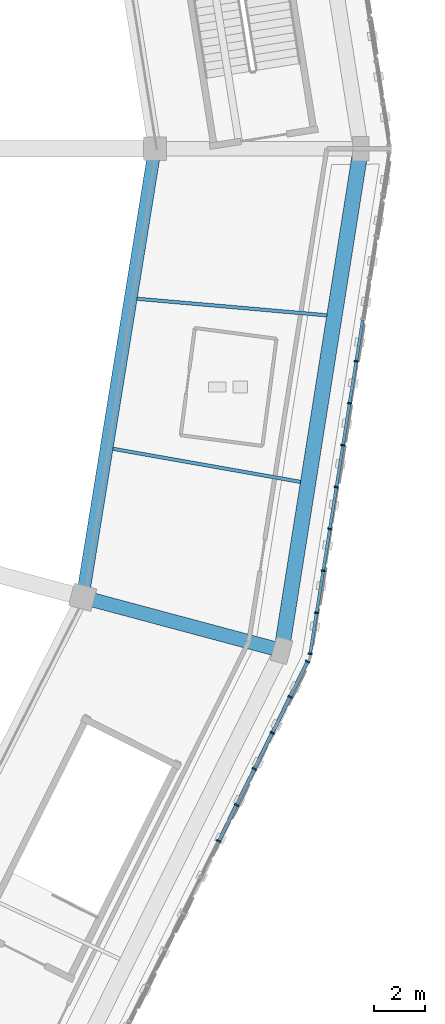
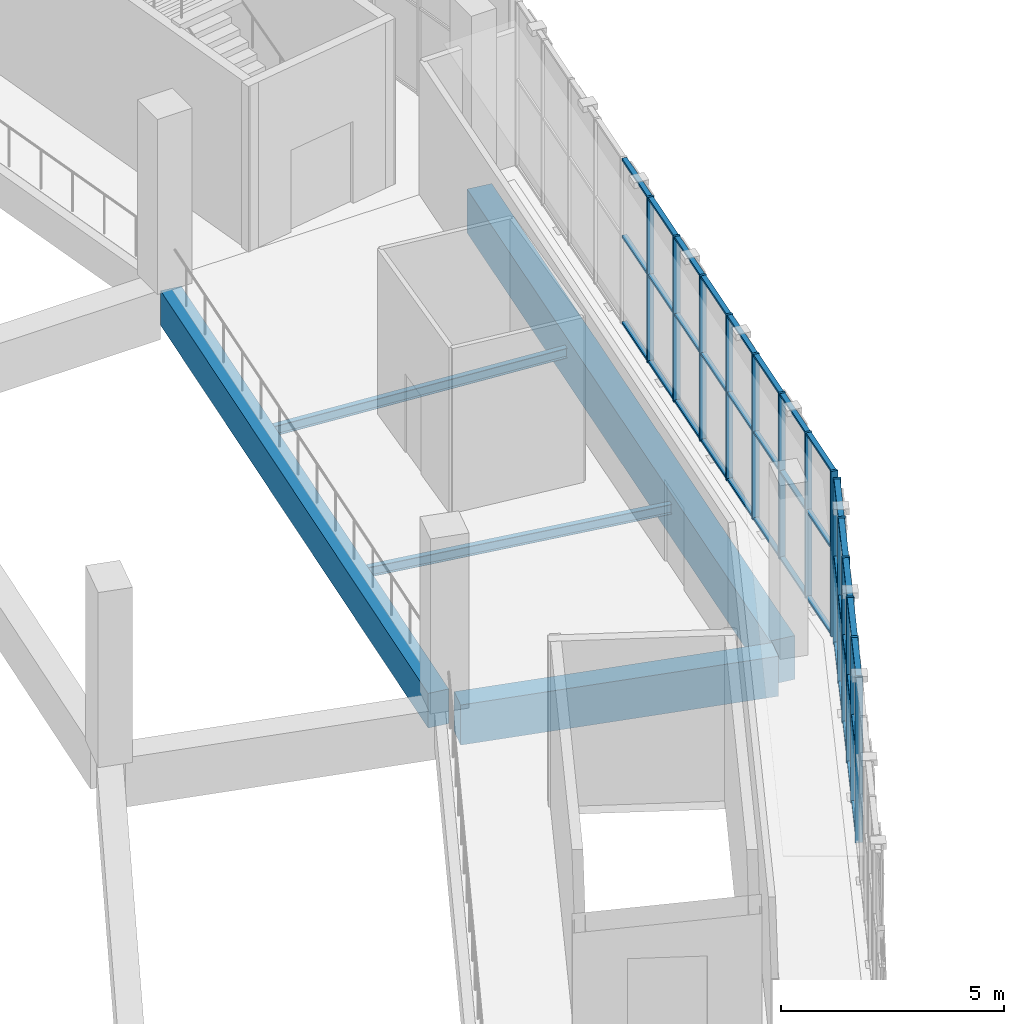
# One storey, part 28 of 108: 53 members, 5 beams, 2 elements without a shape of their own.
"""IFC4 building model written with IfcOpenShell, lengths in metres."""

from ifc_helpers import new_model, si_unit, direction, frame, origin, origin_2d, place, context, subcontext, project, spatial, rectangle, i_section, extrude, material, material_profile, profile_set, type_object, element, aggregate, save


model = new_model("IFC4")

# Units and contexts
model_context = context("Model", 3, precision=1e-05, world=origin(), true_north=direction((0.0, 1.0)))
body_context = subcontext(model_context, "Body", "Model", "MODEL_VIEW")
ifc_project = project(units=[si_unit("LENGTHUNIT", "METRE"), si_unit("AREAUNIT", "SQUARE_METRE"), si_unit("VOLUMEUNIT", "CUBIC_METRE"), si_unit("PLANEANGLEUNIT", "RADIAN"), si_unit("MASSUNIT", "GRAM", prefix="KILO")], contexts=[model_context])

# Site, building, storey
site_placement = place(None, origin())
site = spatial("IfcSite", under=ifc_project, at=site_placement, CompositionType="ELEMENT")
building_placement = place(site_placement, origin())
building = spatial("IfcBuilding", under=site, at=building_placement, Name="Zevraka Park Crest Stadium", CompositionType="ELEMENT")
storey_placement = place(building_placement, frame((0.0, 0.0, 19.800048828125)))
storey = spatial("IfcBuildingStorey", under=building, at=storey_placement, Name="L04", CompositionType="ELEMENT", Elevation=19.800048828125)

# Beam
ifc_material_1 = material(Name="Concrete C40/50", Category="concrete")
ifc_material_profile_1 = material_profile(ifc_material_1, rectangle(XDim=0.550048828125, YDim=1.10009765625, at=origin_2d()), Name="RC 1100x550")
ifc_profile_set_1 = profile_set([ifc_material_profile_1], Name="Concrete C40/50")
beam_type_1 = type_object("IfcBeamType", Name="BG02", PredefinedType="BEAM", material=ifc_profile_set_1)
beam_1_placement = place(storey_placement, frame((191.785888671875, 74.5029296875, -0.56005859375), z_axis=(0.965968812251, -0.258658565986, 0.0), x_axis=(0.258658565986, 0.965968812251, 0.0)))
element("IfcBeam", 1, at=beam_1_placement, inside=storey, type_object=beam_type_1, Name="Radial Girder BG02 L04-CD-23", PredefinedType="BEAM", context=body_context, shape_type="SweptSolid", body=[
    extrude(rectangle(XDim=0.550048828125, YDim=1.10009765625, at=origin_2d()), origin(), (0.0, 0.0, 1.0), 7.39892578125),
])

# Curtain wall, members
ifc_material_2 = material(Name="Anodised architectural aluminium and laminated safety glass", Category="aluminium")
curtain_wall_type_1 = type_object("IfcCurtainWallType", Name="CW16", PredefinedType="NOTDEFINED", material=ifc_material_2)
curtain_wall_1_placement = place(storey_placement, origin())
curtain_wall_1 = element("IfcCurtainWall", 2, at=curtain_wall_1_placement, inside=storey, type_object=curtain_wall_type_1, Name="Unitised Ring Curtain Wall CW16 L04-23", PredefinedType="NOTDEFINED")
ifc_material_3 = material(Name="Anodised architectural aluminium", Category="aluminium")
ifc_material_profile_2 = material_profile(ifc_material_3, rectangle(XDim=0.159912109375, YDim=0.06005859375, at=origin_2d()), Name="ALU MULLION 160x60")
ifc_profile_set_2 = profile_set([ifc_material_profile_2], Name="Anodised architectural aluminium")
member_type_1 = type_object("IfcMemberType", Name="CM01", PredefinedType="MULLION", material=ifc_profile_set_2)
member_1_placement = place(storey_placement, frame((200.32958984375, 72.380615234375, 0.0), z_axis=(0.0, 0.0, 1.0), x_axis=(-0.987829746281, 0.155539038066, 0.0)))
member_1 = element("IfcMember", 3, at=member_1_placement, type_object=member_type_1, Name="CW16 mullion 1", PredefinedType="MULLION", context=body_context, shape_type="SweptSolid", body=[
    extrude(rectangle(XDim=0.159912109375, YDim=0.06005859375, at=origin_2d()), origin(), (0.0, 0.0, 1.0), 4.5400390625),
])
member_2_placement = place(storey_placement, frame((200.5810546875, 73.97802734375, 0.0), z_axis=(0.0, 0.0, 1.0), x_axis=(-0.987829746281, 0.155539038066, 0.0)))
member_2 = element("IfcMember", 4, at=member_2_placement, type_object=member_type_1, Name="CW16 mullion 2", PredefinedType="MULLION", context=body_context, shape_type="SweptSolid", body=[
    extrude(rectangle(XDim=0.159912109375, YDim=0.06005859375, at=origin_2d()), origin(), (0.0, 0.0, 1.0), 4.5400390625),
])
member_3_placement = place(storey_placement, frame((200.83740234375, 75.604736328125, 0.0), z_axis=(0.0, 0.0, 1.0), x_axis=(-0.987829746281, 0.155539038066, 0.0)))
member_3 = element("IfcMember", 5, at=member_3_placement, type_object=member_type_1, Name="CW16 mullion 3", PredefinedType="MULLION", context=body_context, shape_type="SweptSolid", body=[
    extrude(rectangle(XDim=0.159912109375, YDim=0.06005859375, at=origin_2d()), origin(), (0.0, 0.0, 1.0), 4.5400390625),
])
member_4_placement = place(storey_placement, frame((201.093505859375, 77.231689453125, 0.0), z_axis=(0.0, 0.0, 1.0), x_axis=(-0.987829746281, 0.155539038066, 0.0)))
member_4 = element("IfcMember", 6, at=member_4_placement, type_object=member_type_1, Name="CW16 mullion 4", PredefinedType="MULLION", context=body_context, shape_type="SweptSolid", body=[
    extrude(rectangle(XDim=0.159912109375, YDim=0.06005859375, at=origin_2d()), origin(), (0.0, 0.0, 1.0), 4.5400390625),
])
member_5_placement = place(storey_placement, frame((201.349609375, 78.858642578125, 0.0), z_axis=(0.0, 0.0, 1.0), x_axis=(-0.987829746281, 0.155539038066, 0.0)))
member_5 = element("IfcMember", 7, at=member_5_placement, type_object=member_type_1, Name="CW16 mullion 5", PredefinedType="MULLION", context=body_context, shape_type="SweptSolid", body=[
    extrude(rectangle(XDim=0.159912109375, YDim=0.06005859375, at=origin_2d()), origin(), (0.0, 0.0, 1.0), 4.5400390625),
])
member_6_placement = place(storey_placement, frame((201.605712890625, 80.485595703125, 0.0), z_axis=(0.0, 0.0, 1.0), x_axis=(-0.987829746281, 0.155539038066, 0.0)))
member_6 = element("IfcMember", 8, at=member_6_placement, type_object=member_type_1, Name="CW16 mullion 6", PredefinedType="MULLION", context=body_context, shape_type="SweptSolid", body=[
    extrude(rectangle(XDim=0.159912109375, YDim=0.06005859375, at=origin_2d()), origin(), (0.0, 0.0, 1.0), 4.5400390625),
])
member_7_placement = place(storey_placement, frame((201.862060546875, 82.112548828125, 0.0), z_axis=(0.0, 0.0, 1.0), x_axis=(-0.987829746281, 0.155539038066, 0.0)))
member_7 = element("IfcMember", 9, at=member_7_placement, type_object=member_type_1, Name="CW16 mullion 7", PredefinedType="MULLION", context=body_context, shape_type="SweptSolid", body=[
    extrude(rectangle(XDim=0.159912109375, YDim=0.06005859375, at=origin_2d()), origin(), (0.0, 0.0, 1.0), 4.5400390625),
])
member_8_placement = place(storey_placement, frame((202.1181640625, 83.739501953125, 0.0), z_axis=(0.0, 0.0, 1.0), x_axis=(-0.987829746281, 0.155539038066, 0.0)))
member_8 = element("IfcMember", 10, at=member_8_placement, type_object=member_type_1, Name="CW16 mullion 8", PredefinedType="MULLION", context=body_context, shape_type="SweptSolid", body=[
    extrude(rectangle(XDim=0.159912109375, YDim=0.06005859375, at=origin_2d()), origin(), (0.0, 0.0, 1.0), 4.5400390625),
])

ifc_material_4 = material(Name="Anodised architectural aluminium and laminated safety glass", Category="aluminium")
curtain_wall_type_2 = type_object("IfcCurtainWallType", Name="CW17", PredefinedType="NOTDEFINED", material=ifc_material_4)
curtain_wall_2_placement = place(storey_placement, origin())
curtain_wall_2 = element("IfcCurtainWall", 11, at=curtain_wall_2_placement, inside=storey, type_object=curtain_wall_type_2, Name="Unitised Ring Curtain Wall CW17 L04-22", PredefinedType="NOTDEFINED")
ifc_material_5 = material(Name="Anodised architectural aluminium", Category="aluminium")
ifc_material_profile_3 = material_profile(ifc_material_5, rectangle(XDim=0.179931640625, YDim=0.06494140625, at=origin_2d()), Name="ALU MULLION 180x65")
ifc_profile_set_3 = profile_set([ifc_material_profile_3], Name="Anodised architectural aluminium")
member_type_2 = type_object("IfcMemberType", Name="CM02", PredefinedType="MULLION", material=ifc_profile_set_3)
member_9_placement = place(storey_placement, frame((196.780029296875, 65.1103515625, 0.0), z_axis=(0.0, 0.0, 1.0), x_axis=(-0.896046076106, 0.443961067545, 0.0)))
member_9 = element("IfcMember", 12, at=member_9_placement, type_object=member_type_2, Name="CW17 mullion 9", PredefinedType="MULLION", context=body_context, shape_type="SweptSolid", body=[
    extrude(rectangle(XDim=0.179931640625, YDim=0.06494140625, at=origin_2d()), origin(), (0.0, 0.0, 1.0), 4.5400390625),
])
member_10_placement = place(storey_placement, frame((197.4736328125, 66.51025390625, 0.0), z_axis=(0.0, 0.0, 1.0), x_axis=(-0.896046076106, 0.443961067545, 0.0)))
member_10 = element("IfcMember", 13, at=member_10_placement, type_object=member_type_2, Name="CW17 mullion 10", PredefinedType="MULLION", context=body_context, shape_type="SweptSolid", body=[
    extrude(rectangle(XDim=0.179931640625, YDim=0.06494140625, at=origin_2d()), origin(), (0.0, 0.0, 1.0), 4.5400390625),
])
member_11_placement = place(storey_placement, frame((198.167236328125, 67.91015625, 0.0), z_axis=(0.0, 0.0, 1.0), x_axis=(-0.896046076106, 0.443961067545, 0.0)))
member_11 = element("IfcMember", 14, at=member_11_placement, type_object=member_type_2, Name="CW17 mullion 11", PredefinedType="MULLION", context=body_context, shape_type="SweptSolid", body=[
    extrude(rectangle(XDim=0.179931640625, YDim=0.06494140625, at=origin_2d()), origin(), (0.0, 0.0, 1.0), 4.5400390625),
])
member_12_placement = place(storey_placement, frame((198.86083984375, 69.31005859375, 0.0), z_axis=(0.0, 0.0, 1.0), x_axis=(-0.896046076106, 0.443961067545, 0.0)))
member_12 = element("IfcMember", 15, at=member_12_placement, type_object=member_type_2, Name="CW17 mullion 12", PredefinedType="MULLION", context=body_context, shape_type="SweptSolid", body=[
    extrude(rectangle(XDim=0.179931640625, YDim=0.06494140625, at=origin_2d()), origin(), (0.0, 0.0, 1.0), 4.5400390625),
])
member_13_placement = place(storey_placement, frame((199.554443359375, 70.7099609375, 0.0), z_axis=(0.0, 0.0, 1.0), x_axis=(-0.896046076106, 0.443961067545, 0.0)))
member_13 = element("IfcMember", 16, at=member_13_placement, type_object=member_type_2, Name="CW17 mullion 13", PredefinedType="MULLION", context=body_context, shape_type="SweptSolid", body=[
    extrude(rectangle(XDim=0.179931640625, YDim=0.06494140625, at=origin_2d()), origin(), (0.0, 0.0, 1.0), 4.5400390625),
])
member_14_placement = place(storey_placement, frame((200.233642578125, 72.080810546875, 0.0), z_axis=(0.0, 0.0, 1.0), x_axis=(-0.896046076106, 0.443961067545, 0.0)))
member_14 = element("IfcMember", 17, at=member_14_placement, type_object=member_type_2, Name="CW17 mullion 14", PredefinedType="MULLION", context=body_context, shape_type="SweptSolid", body=[
    extrude(rectangle(XDim=0.179931640625, YDim=0.06494140625, at=origin_2d()), origin(), (0.0, 0.0, 1.0), 4.5400390625),
])

# Member
ifc_material_6 = material(Name="Anodised architectural aluminium", Category="aluminium")
ifc_material_profile_4 = material_profile(ifc_material_6, rectangle(XDim=0.1201171875, YDim=0.06005859375, at=origin_2d()), Name="ALU TRANSOM 120x60")
ifc_profile_set_4 = profile_set([ifc_material_profile_4], Name="Anodised architectural aluminium")
member_type_3 = type_object("IfcMemberType", Name="CT01", PredefinedType="USERDEFINED", material=ifc_profile_set_4)
member_15_placement = place(storey_placement, frame((200.334228515625, 72.41015625, 0.030029296875), z_axis=(0.155543865752, 0.987828986124, 0.0), x_axis=(-0.987828986124, 0.155543865752, 0.0)))
member_15 = element("IfcMember", 18, at=member_15_placement, type_object=member_type_3, Name="CW16 transom 1.1", ObjectType="TRANSOM", PredefinedType="USERDEFINED", context=body_context, shape_type="SweptSolid", body=[
    extrude(rectangle(XDim=0.1201171875, YDim=0.06005859375, at=origin_2d()), origin(), (0.0, 0.0, 1.0), 1.55712890625),
])

member_16_placement = place(storey_placement, frame((200.334228515625, 72.41015625, 2.39990234375), z_axis=(0.155543865752, 0.987828986124, 0.0), x_axis=(-0.987828986124, 0.155543865752, 0.0)))
member_16 = element("IfcMember", 19, at=member_16_placement, type_object=member_type_3, Name="CW16 transom 1.2", ObjectType="TRANSOM", PredefinedType="USERDEFINED", context=body_context, shape_type="SweptSolid", body=[
    extrude(rectangle(XDim=0.1201171875, YDim=0.06005859375, at=origin_2d()), origin(), (0.0, 0.0, 1.0), 1.55712890625),
])

member_17_placement = place(storey_placement, frame((200.334228515625, 72.41015625, 4.510009765625), z_axis=(0.155543865752, 0.987828986124, 0.0), x_axis=(-0.987828986124, 0.155543865752, 0.0)))
member_17 = element("IfcMember", 20, at=member_17_placement, type_object=member_type_3, Name="CW16 transom 1.3", ObjectType="TRANSOM", PredefinedType="USERDEFINED", context=body_context, shape_type="SweptSolid", body=[
    extrude(rectangle(XDim=0.1201171875, YDim=0.06005859375, at=origin_2d()), origin(), (0.0, 0.0, 1.0), 1.55712890625),
])

member_18_placement = place(storey_placement, frame((200.5859375, 74.007568359375, 0.030029296875), z_axis=(0.155535954577, 0.987830231788, 0.0), x_axis=(-0.987830231788, 0.155535954577, 0.0)))
member_18 = element("IfcMember", 21, at=member_18_placement, type_object=member_type_3, Name="CW16 transom 2.1", ObjectType="TRANSOM", PredefinedType="USERDEFINED", context=body_context, shape_type="SweptSolid", body=[
    extrude(rectangle(XDim=0.1201171875, YDim=0.06005859375, at=origin_2d()), origin(), (0.0, 0.0, 1.0), 1.5869140625),
])

member_19_placement = place(storey_placement, frame((200.5859375, 74.007568359375, 2.39990234375), z_axis=(0.155535954577, 0.987830231788, 0.0), x_axis=(-0.987830231788, 0.155535954577, 0.0)))
member_19 = element("IfcMember", 22, at=member_19_placement, type_object=member_type_3, Name="CW16 transom 2.2", ObjectType="TRANSOM", PredefinedType="USERDEFINED", context=body_context, shape_type="SweptSolid", body=[
    extrude(rectangle(XDim=0.1201171875, YDim=0.06005859375, at=origin_2d()), origin(), (0.0, 0.0, 1.0), 1.5869140625),
])

member_20_placement = place(storey_placement, frame((200.5859375, 74.007568359375, 4.510009765625), z_axis=(0.155535954577, 0.987830231788, 0.0), x_axis=(-0.987830231788, 0.155535954577, 0.0)))
member_20 = element("IfcMember", 23, at=member_20_placement, type_object=member_type_3, Name="CW16 transom 2.3", ObjectType="TRANSOM", PredefinedType="USERDEFINED", context=body_context, shape_type="SweptSolid", body=[
    extrude(rectangle(XDim=0.1201171875, YDim=0.06005859375, at=origin_2d()), origin(), (0.0, 0.0, 1.0), 1.5869140625),
])

member_21_placement = place(storey_placement, frame((200.842041015625, 75.634521484375, 0.030029296875), z_axis=(0.155535954577, 0.987830231788, 0.0), x_axis=(-0.987830231788, 0.155535954577, 0.0)))
member_21 = element("IfcMember", 24, at=member_21_placement, type_object=member_type_3, Name="CW16 transom 3.1", ObjectType="TRANSOM", PredefinedType="USERDEFINED", context=body_context, shape_type="SweptSolid", body=[
    extrude(rectangle(XDim=0.1201171875, YDim=0.06005859375, at=origin_2d()), origin(), (0.0, 0.0, 1.0), 1.5869140625),
])

member_22_placement = place(storey_placement, frame((200.842041015625, 75.634521484375, 2.39990234375), z_axis=(0.155535954577, 0.987830231788, 0.0), x_axis=(-0.987830231788, 0.155535954577, 0.0)))
member_22 = element("IfcMember", 25, at=member_22_placement, type_object=member_type_3, Name="CW16 transom 3.2", ObjectType="TRANSOM", PredefinedType="USERDEFINED", context=body_context, shape_type="SweptSolid", body=[
    extrude(rectangle(XDim=0.1201171875, YDim=0.06005859375, at=origin_2d()), origin(), (0.0, 0.0, 1.0), 1.5869140625),
])

member_23_placement = place(storey_placement, frame((200.842041015625, 75.634521484375, 4.510009765625), z_axis=(0.155535954577, 0.987830231788, 0.0), x_axis=(-0.987830231788, 0.155535954577, 0.0)))
member_23 = element("IfcMember", 26, at=member_23_placement, type_object=member_type_3, Name="CW16 transom 3.3", ObjectType="TRANSOM", PredefinedType="USERDEFINED", context=body_context, shape_type="SweptSolid", body=[
    extrude(rectangle(XDim=0.1201171875, YDim=0.06005859375, at=origin_2d()), origin(), (0.0, 0.0, 1.0), 1.5869140625),
])

member_24_placement = place(storey_placement, frame((201.09814453125, 77.261474609375, 0.030029296875), z_axis=(0.155535954577, 0.987830231788, 0.0), x_axis=(-0.987830231788, 0.155535954577, 0.0)))
member_24 = element("IfcMember", 27, at=member_24_placement, type_object=member_type_3, Name="CW16 transom 4.1", ObjectType="TRANSOM", PredefinedType="USERDEFINED", context=body_context, shape_type="SweptSolid", body=[
    extrude(rectangle(XDim=0.1201171875, YDim=0.06005859375, at=origin_2d()), origin(), (0.0, 0.0, 1.0), 1.5869140625),
])

member_25_placement = place(storey_placement, frame((201.09814453125, 77.261474609375, 2.39990234375), z_axis=(0.155535954577, 0.987830231788, 0.0), x_axis=(-0.987830231788, 0.155535954577, 0.0)))
member_25 = element("IfcMember", 28, at=member_25_placement, type_object=member_type_3, Name="CW16 transom 4.2", ObjectType="TRANSOM", PredefinedType="USERDEFINED", context=body_context, shape_type="SweptSolid", body=[
    extrude(rectangle(XDim=0.1201171875, YDim=0.06005859375, at=origin_2d()), origin(), (0.0, 0.0, 1.0), 1.5869140625),
])

member_26_placement = place(storey_placement, frame((201.09814453125, 77.261474609375, 4.510009765625), z_axis=(0.155535954577, 0.987830231788, 0.0), x_axis=(-0.987830231788, 0.155535954577, 0.0)))
member_26 = element("IfcMember", 29, at=member_26_placement, type_object=member_type_3, Name="CW16 transom 4.3", ObjectType="TRANSOM", PredefinedType="USERDEFINED", context=body_context, shape_type="SweptSolid", body=[
    extrude(rectangle(XDim=0.1201171875, YDim=0.06005859375, at=origin_2d()), origin(), (0.0, 0.0, 1.0), 1.5869140625),
])

member_27_placement = place(storey_placement, frame((201.354248046875, 78.88818359375, 0.030029296875), z_axis=(0.155512321102, 0.987833952639, 0.0), x_axis=(-0.987833952639, 0.155512321102, 0.0)))
member_27 = element("IfcMember", 30, at=member_27_placement, type_object=member_type_3, Name="CW16 transom 5.1", ObjectType="TRANSOM", PredefinedType="USERDEFINED", context=body_context, shape_type="SweptSolid", body=[
    extrude(rectangle(XDim=0.1201171875, YDim=0.06005859375, at=origin_2d()), origin(), (0.0, 0.0, 1.0), 1.587158203125),
])

member_28_placement = place(storey_placement, frame((201.354248046875, 78.88818359375, 2.39990234375), z_axis=(0.155512321102, 0.987833952639, 0.0), x_axis=(-0.987833952639, 0.155512321102, 0.0)))
member_28 = element("IfcMember", 31, at=member_28_placement, type_object=member_type_3, Name="CW16 transom 5.2", ObjectType="TRANSOM", PredefinedType="USERDEFINED", context=body_context, shape_type="SweptSolid", body=[
    extrude(rectangle(XDim=0.1201171875, YDim=0.06005859375, at=origin_2d()), origin(), (0.0, 0.0, 1.0), 1.587158203125),
])

member_29_placement = place(storey_placement, frame((201.354248046875, 78.88818359375, 4.510009765625), z_axis=(0.155512321102, 0.987833952639, 0.0), x_axis=(-0.987833952639, 0.155512321102, 0.0)))
member_29 = element("IfcMember", 32, at=member_29_placement, type_object=member_type_3, Name="CW16 transom 5.3", ObjectType="TRANSOM", PredefinedType="USERDEFINED", context=body_context, shape_type="SweptSolid", body=[
    extrude(rectangle(XDim=0.1201171875, YDim=0.06005859375, at=origin_2d()), origin(), (0.0, 0.0, 1.0), 1.587158203125),
])

member_30_placement = place(storey_placement, frame((201.610595703125, 80.51513671875, 0.030029296875), z_axis=(0.155535954577, 0.987830231788, 0.0), x_axis=(-0.987830231788, 0.155535954577, 0.0)))
member_30 = element("IfcMember", 33, at=member_30_placement, type_object=member_type_3, Name="CW16 transom 6.1", ObjectType="TRANSOM", PredefinedType="USERDEFINED", context=body_context, shape_type="SweptSolid", body=[
    extrude(rectangle(XDim=0.1201171875, YDim=0.06005859375, at=origin_2d()), origin(), (0.0, 0.0, 1.0), 1.5869140625),
])

member_31_placement = place(storey_placement, frame((201.610595703125, 80.51513671875, 2.39990234375), z_axis=(0.155535954577, 0.987830231788, 0.0), x_axis=(-0.987830231788, 0.155535954577, 0.0)))
member_31 = element("IfcMember", 34, at=member_31_placement, type_object=member_type_3, Name="CW16 transom 6.2", ObjectType="TRANSOM", PredefinedType="USERDEFINED", context=body_context, shape_type="SweptSolid", body=[
    extrude(rectangle(XDim=0.1201171875, YDim=0.06005859375, at=origin_2d()), origin(), (0.0, 0.0, 1.0), 1.5869140625),
])

member_32_placement = place(storey_placement, frame((201.610595703125, 80.51513671875, 4.510009765625), z_axis=(0.155535954577, 0.987830231788, 0.0), x_axis=(-0.987830231788, 0.155535954577, 0.0)))
member_32 = element("IfcMember", 35, at=member_32_placement, type_object=member_type_3, Name="CW16 transom 6.3", ObjectType="TRANSOM", PredefinedType="USERDEFINED", context=body_context, shape_type="SweptSolid", body=[
    extrude(rectangle(XDim=0.1201171875, YDim=0.06005859375, at=origin_2d()), origin(), (0.0, 0.0, 1.0), 1.5869140625),
])

member_33_placement = place(storey_placement, frame((201.86669921875, 82.14208984375, 0.030029296875), z_axis=(0.155535954577, 0.987830231788, 0.0), x_axis=(-0.987830231788, 0.155535954577, 0.0)))
member_33 = element("IfcMember", 36, at=member_33_placement, type_object=member_type_3, Name="CW16 transom 7.1", ObjectType="TRANSOM", PredefinedType="USERDEFINED", context=body_context, shape_type="SweptSolid", body=[
    extrude(rectangle(XDim=0.1201171875, YDim=0.06005859375, at=origin_2d()), origin(), (0.0, 0.0, 1.0), 1.5869140625),
])

member_34_placement = place(storey_placement, frame((201.86669921875, 82.14208984375, 2.39990234375), z_axis=(0.155535954577, 0.987830231788, 0.0), x_axis=(-0.987830231788, 0.155535954577, 0.0)))
member_34 = element("IfcMember", 37, at=member_34_placement, type_object=member_type_3, Name="CW16 transom 7.2", ObjectType="TRANSOM", PredefinedType="USERDEFINED", context=body_context, shape_type="SweptSolid", body=[
    extrude(rectangle(XDim=0.1201171875, YDim=0.06005859375, at=origin_2d()), origin(), (0.0, 0.0, 1.0), 1.5869140625),
])

member_35_placement = place(storey_placement, frame((201.86669921875, 82.14208984375, 4.510009765625), z_axis=(0.155535954577, 0.987830231788, 0.0), x_axis=(-0.987830231788, 0.155535954577, 0.0)))
member_35 = element("IfcMember", 38, at=member_35_placement, type_object=member_type_3, Name="CW16 transom 7.3", ObjectType="TRANSOM", PredefinedType="USERDEFINED", context=body_context, shape_type="SweptSolid", body=[
    extrude(rectangle(XDim=0.1201171875, YDim=0.06005859375, at=origin_2d()), origin(), (0.0, 0.0, 1.0), 1.5869140625),
])

member_36_placement = place(storey_placement, frame((202.122802734375, 83.76904296875, 0.030029296875), z_axis=(0.155535954577, 0.987830231788, 0.0), x_axis=(-0.987830231788, 0.155535954577, 0.0)))
member_36 = element("IfcMember", 39, at=member_36_placement, type_object=member_type_3, Name="CW16 transom 8.1", ObjectType="TRANSOM", PredefinedType="USERDEFINED", context=body_context, shape_type="SweptSolid", body=[
    extrude(rectangle(XDim=0.1201171875, YDim=0.06005859375, at=origin_2d()), origin(), (0.0, 0.0, 1.0), 1.5869140625),
])

member_37_placement = place(storey_placement, frame((202.122802734375, 83.76904296875, 2.39990234375), z_axis=(0.155535954577, 0.987830231788, 0.0), x_axis=(-0.987830231788, 0.155535954577, 0.0)))
member_37 = element("IfcMember", 40, at=member_37_placement, type_object=member_type_3, Name="CW16 transom 8.2", ObjectType="TRANSOM", PredefinedType="USERDEFINED", context=body_context, shape_type="SweptSolid", body=[
    extrude(rectangle(XDim=0.1201171875, YDim=0.06005859375, at=origin_2d()), origin(), (0.0, 0.0, 1.0), 1.5869140625),
])

member_38_placement = place(storey_placement, frame((202.122802734375, 83.76904296875, 4.510009765625), z_axis=(0.155535954577, 0.987830231788, 0.0), x_axis=(-0.987830231788, 0.155535954577, 0.0)))
member_38 = element("IfcMember", 41, at=member_38_placement, type_object=member_type_3, Name="CW16 transom 8.3", ObjectType="TRANSOM", PredefinedType="USERDEFINED", context=body_context, shape_type="SweptSolid", body=[
    extrude(rectangle(XDim=0.1201171875, YDim=0.06005859375, at=origin_2d()), origin(), (0.0, 0.0, 1.0), 1.5869140625),
])

aggregate(curtain_wall_1, [member_1, member_2, member_3, member_4, member_5, member_6, member_7, member_8, member_15, member_16, member_17, member_18, member_19, member_20, member_21, member_22, member_23, member_24, member_25, member_26, member_27, member_28, member_29, member_30, member_31, member_32, member_33, member_34, member_35, member_36, member_37, member_38])

ifc_material_7 = material(Name="Anodised architectural aluminium", Category="aluminium")
ifc_material_profile_5 = material_profile(ifc_material_7, rectangle(XDim=0.139892578125, YDim=0.06494140625, at=origin_2d()), Name="ALU TRANSOM 140x65")
ifc_profile_set_5 = profile_set([ifc_material_profile_5], Name="Anodised architectural aluminium")
member_type_4 = type_object("IfcMemberType", Name="CT02", PredefinedType="USERDEFINED", material=ifc_profile_set_5)
member_39_placement = place(storey_placement, frame((196.79443359375, 65.139404296875, 0.032470703125), z_axis=(0.443949882668, 0.896051617754, 0.0), x_axis=(-0.896051617754, 0.443949882668, 0.0)))
member_39 = element("IfcMember", 42, at=member_39_placement, type_object=member_type_4, Name="CW17 transom 9.1", ObjectType="TRANSOM", PredefinedType="USERDEFINED", context=body_context, shape_type="SweptSolid", body=[
    extrude(rectangle(XDim=0.139892578125, YDim=0.06494140625, at=origin_2d()), origin(), (0.0, 0.0, 1.0), 1.49755859375),
])

member_40_placement = place(storey_placement, frame((196.79443359375, 65.139404296875, 2.39990234375), z_axis=(0.443949882668, 0.896051617754, 0.0), x_axis=(-0.896051617754, 0.443949882668, 0.0)))
member_40 = element("IfcMember", 43, at=member_40_placement, type_object=member_type_4, Name="CW17 transom 9.2", ObjectType="TRANSOM", PredefinedType="USERDEFINED", context=body_context, shape_type="SweptSolid", body=[
    extrude(rectangle(XDim=0.139892578125, YDim=0.06494140625, at=origin_2d()), origin(), (0.0, 0.0, 1.0), 1.49755859375),
])

member_41_placement = place(storey_placement, frame((196.79443359375, 65.139404296875, 4.507568359375), z_axis=(0.443949882668, 0.896051617754, 0.0), x_axis=(-0.896051617754, 0.443949882668, 0.0)))
member_41 = element("IfcMember", 44, at=member_41_placement, type_object=member_type_4, Name="CW17 transom 9.3", ObjectType="TRANSOM", PredefinedType="USERDEFINED", context=body_context, shape_type="SweptSolid", body=[
    extrude(rectangle(XDim=0.139892578125, YDim=0.06494140625, at=origin_2d()), origin(), (0.0, 0.0, 1.0), 1.49755859375),
])

member_42_placement = place(storey_placement, frame((197.488037109375, 66.53955078125, 0.032470703125), z_axis=(0.444014747446, 0.896019477495, 0.0), x_axis=(-0.896019477495, 0.444014747446, 0.0)))
member_42 = element("IfcMember", 45, at=member_42_placement, type_object=member_type_4, Name="CW17 transom 10.1", ObjectType="TRANSOM", PredefinedType="USERDEFINED", context=body_context, shape_type="SweptSolid", body=[
    extrude(rectangle(XDim=0.139892578125, YDim=0.06494140625, at=origin_2d()), origin(), (0.0, 0.0, 1.0), 1.497314453125),
])

member_43_placement = place(storey_placement, frame((197.488037109375, 66.53955078125, 2.39990234375), z_axis=(0.444014747446, 0.896019477495, 0.0), x_axis=(-0.896019477495, 0.444014747446, 0.0)))
member_43 = element("IfcMember", 46, at=member_43_placement, type_object=member_type_4, Name="CW17 transom 10.2", ObjectType="TRANSOM", PredefinedType="USERDEFINED", context=body_context, shape_type="SweptSolid", body=[
    extrude(rectangle(XDim=0.139892578125, YDim=0.06494140625, at=origin_2d()), origin(), (0.0, 0.0, 1.0), 1.497314453125),
])

member_44_placement = place(storey_placement, frame((197.488037109375, 66.53955078125, 4.507568359375), z_axis=(0.444014747446, 0.896019477495, 0.0), x_axis=(-0.896019477495, 0.444014747446, 0.0)))
member_44 = element("IfcMember", 47, at=member_44_placement, type_object=member_type_4, Name="CW17 transom 10.3", ObjectType="TRANSOM", PredefinedType="USERDEFINED", context=body_context, shape_type="SweptSolid", body=[
    extrude(rectangle(XDim=0.139892578125, YDim=0.06494140625, at=origin_2d()), origin(), (0.0, 0.0, 1.0), 1.497314453125),
])

member_45_placement = place(storey_placement, frame((198.181640625, 67.939453125, 0.032470703125), z_axis=(0.444014747446, 0.896019477495, 0.0), x_axis=(-0.896019477495, 0.444014747446, 0.0)))
member_45 = element("IfcMember", 48, at=member_45_placement, type_object=member_type_4, Name="CW17 transom 11.1", ObjectType="TRANSOM", PredefinedType="USERDEFINED", context=body_context, shape_type="SweptSolid", body=[
    extrude(rectangle(XDim=0.139892578125, YDim=0.06494140625, at=origin_2d()), origin(), (0.0, 0.0, 1.0), 1.497314453125),
])

member_46_placement = place(storey_placement, frame((198.181640625, 67.939453125, 2.39990234375), z_axis=(0.444014747446, 0.896019477495, 0.0), x_axis=(-0.896019477495, 0.444014747446, 0.0)))
member_46 = element("IfcMember", 49, at=member_46_placement, type_object=member_type_4, Name="CW17 transom 11.2", ObjectType="TRANSOM", PredefinedType="USERDEFINED", context=body_context, shape_type="SweptSolid", body=[
    extrude(rectangle(XDim=0.139892578125, YDim=0.06494140625, at=origin_2d()), origin(), (0.0, 0.0, 1.0), 1.497314453125),
])

member_47_placement = place(storey_placement, frame((198.181640625, 67.939453125, 4.507568359375), z_axis=(0.444014747446, 0.896019477495, 0.0), x_axis=(-0.896019477495, 0.444014747446, 0.0)))
member_47 = element("IfcMember", 50, at=member_47_placement, type_object=member_type_4, Name="CW17 transom 11.3", ObjectType="TRANSOM", PredefinedType="USERDEFINED", context=body_context, shape_type="SweptSolid", body=[
    extrude(rectangle(XDim=0.139892578125, YDim=0.06494140625, at=origin_2d()), origin(), (0.0, 0.0, 1.0), 1.497314453125),
])

member_48_placement = place(storey_placement, frame((198.875244140625, 69.33935546875, 0.032470703125), z_axis=(0.444014747446, 0.896019477495, 0.0), x_axis=(-0.896019477495, 0.444014747446, 0.0)))
member_48 = element("IfcMember", 51, at=member_48_placement, type_object=member_type_4, Name="CW17 transom 12.1", ObjectType="TRANSOM", PredefinedType="USERDEFINED", context=body_context, shape_type="SweptSolid", body=[
    extrude(rectangle(XDim=0.139892578125, YDim=0.06494140625, at=origin_2d()), origin(), (0.0, 0.0, 1.0), 1.497314453125),
])

member_49_placement = place(storey_placement, frame((198.875244140625, 69.33935546875, 2.39990234375), z_axis=(0.444014747446, 0.896019477495, 0.0), x_axis=(-0.896019477495, 0.444014747446, 0.0)))
member_49 = element("IfcMember", 52, at=member_49_placement, type_object=member_type_4, Name="CW17 transom 12.2", ObjectType="TRANSOM", PredefinedType="USERDEFINED", context=body_context, shape_type="SweptSolid", body=[
    extrude(rectangle(XDim=0.139892578125, YDim=0.06494140625, at=origin_2d()), origin(), (0.0, 0.0, 1.0), 1.497314453125),
])

member_50_placement = place(storey_placement, frame((198.875244140625, 69.33935546875, 4.507568359375), z_axis=(0.444014747446, 0.896019477495, 0.0), x_axis=(-0.896019477495, 0.444014747446, 0.0)))
member_50 = element("IfcMember", 53, at=member_50_placement, type_object=member_type_4, Name="CW17 transom 12.3", ObjectType="TRANSOM", PredefinedType="USERDEFINED", context=body_context, shape_type="SweptSolid", body=[
    extrude(rectangle(XDim=0.139892578125, YDim=0.06494140625, at=origin_2d()), origin(), (0.0, 0.0, 1.0), 1.497314453125),
])

member_51_placement = place(storey_placement, frame((199.56884765625, 70.7392578125, 0.032470703125), z_axis=(0.444010656384, 0.896021504774, 0.0), x_axis=(-0.896021504774, 0.444010656384, 0.0)))
member_51 = element("IfcMember", 54, at=member_51_placement, type_object=member_type_4, Name="CW17 transom 13.1", ObjectType="TRANSOM", PredefinedType="USERDEFINED", context=body_context, shape_type="SweptSolid", body=[
    extrude(rectangle(XDim=0.139892578125, YDim=0.06494140625, at=origin_2d()), origin(), (0.0, 0.0, 1.0), 1.46484375),
])

member_52_placement = place(storey_placement, frame((199.56884765625, 70.7392578125, 2.39990234375), z_axis=(0.444010656384, 0.896021504774, 0.0), x_axis=(-0.896021504774, 0.444010656384, 0.0)))
member_52 = element("IfcMember", 55, at=member_52_placement, type_object=member_type_4, Name="CW17 transom 13.2", ObjectType="TRANSOM", PredefinedType="USERDEFINED", context=body_context, shape_type="SweptSolid", body=[
    extrude(rectangle(XDim=0.139892578125, YDim=0.06494140625, at=origin_2d()), origin(), (0.0, 0.0, 1.0), 1.46484375),
])

member_53_placement = place(storey_placement, frame((199.56884765625, 70.7392578125, 4.507568359375), z_axis=(0.444010656384, 0.896021504774, 0.0), x_axis=(-0.896021504774, 0.444010656384, 0.0)))
member_53 = element("IfcMember", 56, at=member_53_placement, type_object=member_type_4, Name="CW17 transom 13.3", ObjectType="TRANSOM", PredefinedType="USERDEFINED", context=body_context, shape_type="SweptSolid", body=[
    extrude(rectangle(XDim=0.139892578125, YDim=0.06494140625, at=origin_2d()), origin(), (0.0, 0.0, 1.0), 1.46484375),
])

aggregate(curtain_wall_2, [member_9, member_10, member_11, member_12, member_13, member_14, member_39, member_40, member_41, member_42, member_43, member_44, member_45, member_46, member_47, member_48, member_49, member_50, member_51, member_52, member_53])

# Beams
ifc_material_8 = material(Name="Concrete C40/50", Category="concrete")
ifc_material_profile_6 = material_profile(ifc_material_8, rectangle(XDim=0.60009765625, YDim=1.199951171875, at=origin_2d()), Name="RC 1200x600")
ifc_profile_set_6 = profile_set([ifc_material_profile_6], Name="Concrete C40/50")
beam_type_2 = type_object("IfcBeamType", Name="RB01", PredefinedType="BEAM", material=ifc_profile_set_6)
beam_2_placement = place(storey_placement, frame((199.281982421875, 72.885986328125, -0.610107421875), z_axis=(0.155972486086, 0.987761400129, 0.0), x_axis=(-0.987761400129, 0.155972486086, 0.0)))
element("IfcBeam", 57, at=beam_2_placement, inside=storey, type_object=beam_type_2, Name="Ring Beam RB01 L04-D-23", PredefinedType="BEAM", context=body_context, shape_type="SweptSolid", body=[
    extrude(rectangle(XDim=0.60009765625, YDim=1.199951171875, at=origin_2d()), origin(), (0.0, 0.0, 1.0), 18.97119140625),
])
ifc_material_9 = material(Name="Concrete C40/50", Category="concrete")
ifc_material_profile_7 = material_profile(ifc_material_9, rectangle(XDim=0.5, YDim=0.949951171875, at=origin_2d()), Name="RC 950x500")
ifc_profile_set_7 = profile_set([ifc_material_profile_7], Name="Concrete C40/50")
beam_type_3 = type_object("IfcBeamType", Name="RB02", PredefinedType="BEAM", material=ifc_profile_set_7)
beam_3_placement = place(storey_placement, frame((191.555908203125, 74.9560546875, -0.485107421875), z_axis=(0.158975112778, 0.987282590507, 0.0), x_axis=(-0.987282590507, 0.158975112778, 0.0)))
element("IfcBeam", 58, at=beam_3_placement, inside=storey, type_object=beam_type_3, Name="Ring Beam RB02 L04-C-23", PredefinedType="BEAM", context=body_context, shape_type="SweptSolid", body=[
    extrude(rectangle(XDim=0.5, YDim=0.949951171875, at=origin_2d()), origin(), (0.0, 0.0, 1.0), 16.883544921875),
])
ifc_material_10 = material(Name="Steel S355", Category="steel")
ifc_material_profile_8 = material_profile(ifc_material_10, i_section(OverallWidth=0.135009765625, OverallDepth=0.27001953125, WebThickness=0.006591796875, FlangeThickness=0.01025390625, at=origin_2d()), Name="IPE 270")
ifc_profile_set_8 = profile_set([ifc_material_profile_8], Name="Steel S355")
beam_type_4 = type_object("IfcBeamType", Name="SJ07", PredefinedType="JOIST", material=ifc_profile_set_8)
beam_4_placement = place(storey_placement, frame((192.672119140625, 80.344970703125, -0.403076171875), z_axis=(0.984780236621, -0.17380415864, 0.0), x_axis=(0.17380415864, 0.984780236621, 0.0)))
element("IfcBeam", 59, at=beam_4_placement, inside=storey, type_object=beam_type_4, Name="Floor Joist SJ07 L04-CD-23-1", PredefinedType="JOIST", context=body_context, shape_type="SweptSolid", body=[
    extrude(i_section(OverallWidth=0.135009765625, OverallDepth=0.27001953125, WebThickness=0.006591796875, FlangeThickness=0.01025390625, at=origin_2d()), origin(), (0.0, 0.0, 1.0), 7.3984375),
])
beam_5_placement = place(storey_placement, frame((193.60888671875, 86.172119140625, -0.403076171875), z_axis=(0.996216033434, -0.086911533918, 0.0), x_axis=(0.086911533918, 0.996216033434, 0.0)))
element("IfcBeam", 60, at=beam_5_placement, inside=storey, type_object=beam_type_4, Name="Floor Joist SJ07 L04-CD-23-2", PredefinedType="JOIST", context=body_context, shape_type="SweptSolid", body=[
    extrude(i_section(OverallWidth=0.135009765625, OverallDepth=0.27001953125, WebThickness=0.006591796875, FlangeThickness=0.01025390625, at=origin_2d()), origin(), (0.0, 0.0, 1.0), 7.399169921875),
])

save(model, "model.ifc")
